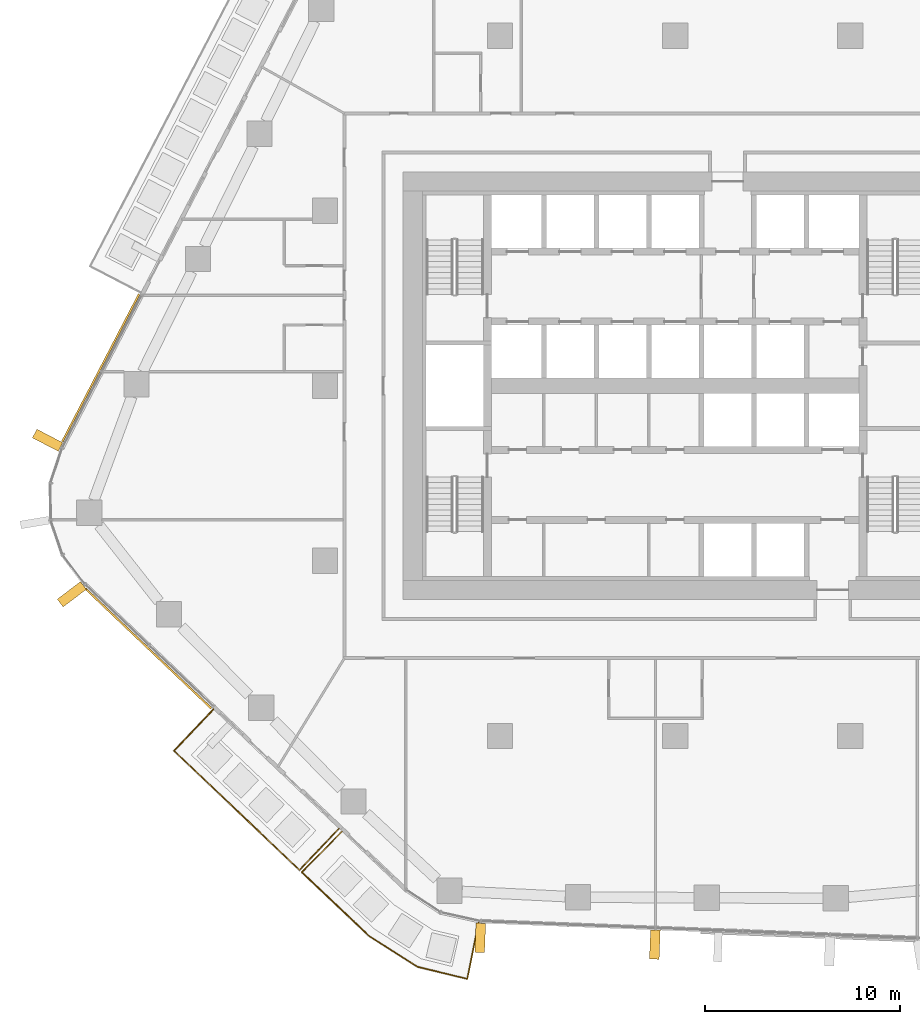
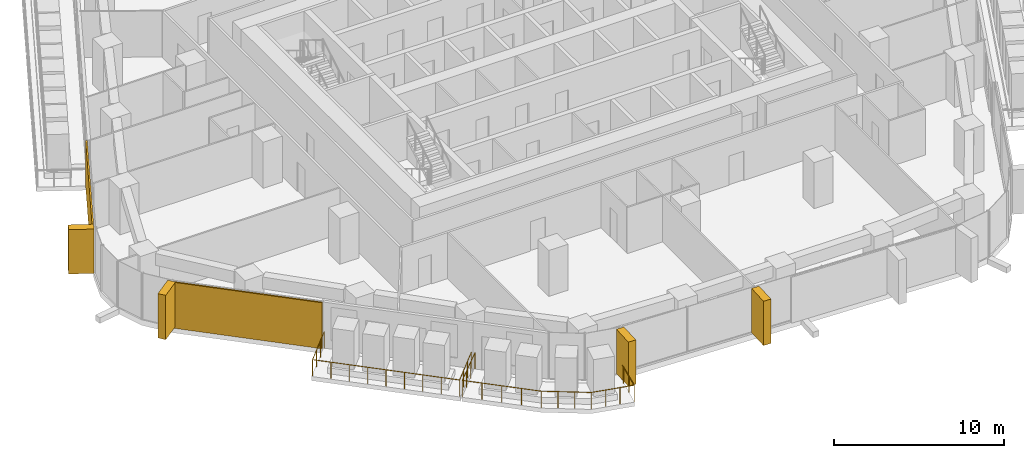
# One storey, part 18 of 23: 6 coverings, 2 railings, 4 elements without a shape of their own.
"""IFC4 building model written with IfcOpenShell, lengths in metres."""

from ifc_helpers import new_model, si_unit, direction, frame, origin, origin_2d, place, context, subcontext, project, spatial, rectangle, circle, extrude, material, layer, layer_set, material_profile, profile_set, type_object, element, aggregate, save


model = new_model("IFC4")

# Units and contexts
model_context = context("Model", 3, precision=1e-05, world=origin(), true_north=direction((0.0, 1.0)))
body_context = subcontext(model_context, "Body", "Model", "MODEL_VIEW")
ifc_project = project(units=[si_unit("LENGTHUNIT", "METRE"), si_unit("AREAUNIT", "SQUARE_METRE"), si_unit("VOLUMEUNIT", "CUBIC_METRE"), si_unit("PLANEANGLEUNIT", "RADIAN"), si_unit("MASSUNIT", "GRAM", prefix="KILO")], contexts=[model_context])

# Site, building, storey
site_placement = place(None, origin())
site = spatial("IfcSite", under=ifc_project, at=site_placement, CompositionType="ELEMENT")
building_placement = place(site_placement, origin())
building = spatial("IfcBuilding", under=site, at=building_placement, Name="Dongbaek Canopy Tower", CompositionType="ELEMENT")
storey_placement = place(building_placement, frame((0.0, 0.0, 135.89990234375)))
storey = spatial("IfcBuildingStorey", under=building, at=storey_placement, Name="L30", CompositionType="ELEMENT", Elevation=135.89990234375)

# Railings
ifc_material_1 = material(Name="Stainless steel", Category="steel")
railing_type = type_object("IfcRailingType", Name="Balcony balustrade 1200", PredefinedType="BALUSTRADE", material=ifc_material_1)
railing_1_placement = place(storey_placement, frame((-23.730712890625, -16.632568359375, 0.0)))
element("IfcRailing", 1, at=railing_1_placement, inside=storey, type_object=railing_type, Name="Balcony guard L30 3", PredefinedType="BALUSTRADE", context=body_context, shape_type="SweptSolid", body=[
    extrude(circle(Radius=0.02392578125, at=origin_2d()), frame((0.0, 0.0, 1.17578125), z_axis=(-0.689325404466, -0.724451852615, 0.0), x_axis=(0.724451852615, -0.689325404466, 0.0)), (0.0, 0.0, 1.0), 2.93994140625),
    extrude(circle(Radius=0.02392578125, at=origin_2d()), frame((-2.026611328125, -2.1298828125, 1.17578125), z_axis=(0.724466132489, -0.689310396611, 0.0), x_axis=(0.689310396611, 0.724466132489, 0.0)), (0.0, 0.0, 1.0), 8.89599609375),
    extrude(circle(Radius=0.02392578125, at=origin_2d()), frame((4.418212890625, -8.261962890625, 1.17578125), z_axis=(0.689283936438, 0.724491307725, 0.0), x_axis=(-0.724491307725, 0.689283936438, 0.0)), (0.0, 0.0, 1.0), 2.940185546875),
    extrude(circle(Radius=0.02099609375, at=origin_2d()), origin(), (0.0, 0.0, 1.0), 1.15185546875),
    extrude(circle(Radius=0.02099609375, at=origin_2d()), frame((-0.675537109375, -0.7099609375, 0.0)), (0.0, 0.0, 1.0), 1.15185546875),
    extrude(circle(Radius=0.02099609375, at=origin_2d()), frame((-1.35107421875, -1.419921875, 0.0)), (0.0, 0.0, 1.0), 1.15185546875),
    extrude(circle(Radius=0.02099609375, at=origin_2d()), frame((-2.026611328125, -2.1298828125, 0.0)), (0.0, 0.0, 1.0), 1.15185546875),
    extrude(circle(Radius=0.02099609375, at=origin_2d()), frame((-1.220947265625, -2.896484375, 0.0)), (0.0, 0.0, 1.0), 1.15185546875),
    extrude(circle(Radius=0.02099609375, at=origin_2d()), frame((-0.41552734375, -3.662841796875, 0.0)), (0.0, 0.0, 1.0), 1.15185546875),
    extrude(circle(Radius=0.02099609375, at=origin_2d()), frame((0.39013671875, -4.429443359375, 0.0)), (0.0, 0.0, 1.0), 1.15185546875),
    extrude(circle(Radius=0.02099609375, at=origin_2d()), frame((1.19580078125, -5.19580078125, 0.0)), (0.0, 0.0, 1.0), 1.15185546875),
    extrude(circle(Radius=0.02099609375, at=origin_2d()), frame((2.00146484375, -5.96240234375, 0.0)), (0.0, 0.0, 1.0), 1.15185546875),
    extrude(circle(Radius=0.02099609375, at=origin_2d()), frame((2.80712890625, -6.72900390625, 0.0)), (0.0, 0.0, 1.0), 1.15185546875),
    extrude(circle(Radius=0.02099609375, at=origin_2d()), frame((3.612548828125, -7.495361328125, 0.0)), (0.0, 0.0, 1.0), 1.15185546875),
    extrude(circle(Radius=0.02099609375, at=origin_2d()), frame((4.418212890625, -8.261962890625, 0.0)), (0.0, 0.0, 1.0), 1.15185546875),
    extrude(circle(Radius=0.02099609375, at=origin_2d()), frame((5.09375, -7.552001953125, 0.0)), (0.0, 0.0, 1.0), 1.15185546875),
    extrude(circle(Radius=0.02099609375, at=origin_2d()), frame((5.769287109375, -6.841796875, 0.0)), (0.0, 0.0, 1.0), 1.15185546875),
    extrude(circle(Radius=0.02099609375, at=origin_2d()), frame((6.44482421875, -6.1318359375, 0.0)), (0.0, 0.0, 1.0), 1.15185546875),
])
railing_2_placement = place(storey_placement, frame((-17.12646484375, -22.916259765625, 0.0)))
element("IfcRailing", 2, at=railing_2_placement, inside=storey, type_object=railing_type, Name="Balcony guard L30 7", PredefinedType="BALUSTRADE", context=body_context, shape_type="SweptSolid", body=[
    extrude(circle(Radius=0.02392578125, at=origin_2d()), frame((0.0, 0.0, 1.17578125), z_axis=(-0.703986411861, -0.710213441097, 0.0), x_axis=(0.710213441097, -0.703986411861, 0.0)), (0.0, 0.0, 1.0), 2.9404296875),
    extrude(circle(Radius=0.02392578125, at=origin_2d()), frame((-2.070068359375, -2.08837890625, 1.17578125), z_axis=(0.726177108042, -0.687507678325, 0.0), x_axis=(0.687507678325, 0.726177108042, 0.0)), (0.0, 0.0, 1.0), 4.77294921875),
    extrude(circle(Radius=0.02392578125, at=origin_2d()), frame((1.39599609375, -5.369873046875, 1.17578125), z_axis=(0.8430468965, -0.537840060149, 0.0), x_axis=(0.537840060149, 0.8430468965, 0.0)), (0.0, 0.0, 1.0), 2.947021484375),
    extrude(circle(Radius=0.02392578125, at=origin_2d()), frame((3.88037109375, -6.954833984375, 1.17578125), z_axis=(0.971990220517, -0.235021299503, 0.0), x_axis=(0.235021299503, 0.971990220517, 0.0)), (0.0, 0.0, 1.0), 2.63232421875),
    extrude(circle(Radius=0.02392578125, at=origin_2d()), frame((6.43896484375, -7.573486328125, 1.17578125), z_axis=(0.197345358097, 0.980334029623, 0.0), x_axis=(-0.980334029623, 0.197345358097, 0.0)), (0.0, 0.0, 1.0), 2.940673828125),
    extrude(circle(Radius=0.02099609375, at=origin_2d()), origin(), (0.0, 0.0, 1.0), 1.15185546875),
    extrude(circle(Radius=0.02099609375, at=origin_2d()), frame((-0.68994140625, -0.696044921875, 0.0)), (0.0, 0.0, 1.0), 1.15185546875),
    extrude(circle(Radius=0.02099609375, at=origin_2d()), frame((-1.380126953125, -1.392333984375, 0.0)), (0.0, 0.0, 1.0), 1.15185546875),
    extrude(circle(Radius=0.02099609375, at=origin_2d()), frame((-2.070068359375, -2.08837890625, 0.0)), (0.0, 0.0, 1.0), 1.15185546875),
    extrude(circle(Radius=0.02099609375, at=origin_2d()), frame((-1.20361328125, -2.90869140625, 0.0)), (0.0, 0.0, 1.0), 1.15185546875),
    extrude(circle(Radius=0.02099609375, at=origin_2d()), frame((-0.3369140625, -3.72900390625, 0.0)), (0.0, 0.0, 1.0), 1.15185546875),
    extrude(circle(Radius=0.02099609375, at=origin_2d()), frame((0.529541015625, -4.549560546875, 0.0)), (0.0, 0.0, 1.0), 1.15185546875),
    extrude(circle(Radius=0.02099609375, at=origin_2d()), frame((1.39599609375, -5.369873046875, 0.0)), (0.0, 0.0, 1.0), 1.15185546875),
    extrude(circle(Radius=0.02099609375, at=origin_2d()), frame((2.22412109375, -5.898193359375, 0.0)), (0.0, 0.0, 1.0), 1.15185546875),
    extrude(circle(Radius=0.02099609375, at=origin_2d()), frame((3.05224609375, -6.426513671875, 0.0)), (0.0, 0.0, 1.0), 1.15185546875),
    extrude(circle(Radius=0.02099609375, at=origin_2d()), frame((3.88037109375, -6.954833984375, 0.0)), (0.0, 0.0, 1.0), 1.15185546875),
    extrude(circle(Radius=0.02099609375, at=origin_2d()), frame((4.733154296875, -7.1611328125, 0.0)), (0.0, 0.0, 1.0), 1.15185546875),
    extrude(circle(Radius=0.02099609375, at=origin_2d()), frame((5.586181640625, -7.3671875, 0.0)), (0.0, 0.0, 1.0), 1.15185546875),
    extrude(circle(Radius=0.02099609375, at=origin_2d()), frame((6.43896484375, -7.573486328125, 0.0)), (0.0, 0.0, 1.0), 1.15185546875),
    extrude(circle(Radius=0.02099609375, at=origin_2d()), frame((6.63232421875, -6.612548828125, 0.0)), (0.0, 0.0, 1.0), 1.15185546875),
    extrude(circle(Radius=0.02099609375, at=origin_2d()), frame((6.825927734375, -5.651611328125, 0.0)), (0.0, 0.0, 1.0), 1.15185546875),
    extrude(circle(Radius=0.02099609375, at=origin_2d()), frame((7.019287109375, -4.690673828125, 0.0)), (0.0, 0.0, 1.0), 1.15185546875),
])

# Curtain wall, covering
ifc_material_2 = material(Name="Aluminium 6063-T6 pale anodised", Category="aluminium")
ifc_layer_1 = layer(ifc_material_2, 0.199951171875)
ifc_layer_set_1 = layer_set([ifc_layer_1], Name="CW-1 unitised tower curtain wall")
curtain_wall_type = type_object("IfcCurtainWallType", Name="CW-1 unitised tower curtain wall", PredefinedType="NOTDEFINED", material=ifc_layer_set_1)
curtain_wall_1_placement = place(storey_placement, origin())
curtain_wall_1 = element("IfcCurtainWall", 3, at=curtain_wall_1_placement, inside=storey, type_object=curtain_wall_type, Name="CW-1 curtain wall F2.1", PredefinedType="NOTDEFINED")
ifc_material_3 = material(Name="Perforated aluminium 6063-T6 pale metal screen", Category="aluminium")
ifc_layer_2 = layer(ifc_material_3, 0.10009765625)
ifc_layer_set_2 = layer_set([ifc_layer_2], Name="Facet screen FS1 100 pale metal")
covering_type_1 = type_object("IfcCoveringType", Name="Facet screen FS1 100 pale metal", PredefinedType="CLADDING", material=ifc_layer_set_2)
covering_1_placement = place(storey_placement, frame((-29.528564453125, 0.922607421875, 0.0), z_axis=(0.0, 0.0, 1.0), x_axis=(-0.461909610727, -0.886927004617, 0.0)))
covering_1 = element("IfcCovering", 4, at=covering_1_placement, type_object=covering_type_1, Name="Facet screen L30 F2", PredefinedType="CLADDING", context=body_context, shape_type="SweptSolid", body=[
    extrude(rectangle(XDim=8.550537109375, YDim=0.10009765625, at=origin_2d()), origin(), (0.0, 0.0, 1.0), 3.300048828125),
])

curtain_wall_2_placement = place(storey_placement, origin())
curtain_wall_2 = element("IfcCurtainWall", 5, at=curtain_wall_2_placement, inside=storey, type_object=curtain_wall_type, Name="CW-1 curtain wall F3.1", PredefinedType="NOTDEFINED")
covering_2_placement = place(storey_placement, frame((-27.085693359375, -13.50390625, 0.0), z_axis=(0.0, 0.0, 1.0), x_axis=(0.724473898843, -0.689302234071, 0.0)))
covering_2 = element("IfcCovering", 6, at=covering_2_placement, type_object=covering_type_1, Name="Facet screen L30 F3", PredefinedType="CLADDING", context=body_context, shape_type="SweptSolid", body=[
    extrude(rectangle(XDim=8.954345703125, YDim=0.10009765625, at=origin_2d()), origin(), (0.0, 0.0, 1.0), 3.300048828125),
])
aggregate(curtain_wall_2, [covering_2])

# Covering
ifc_material_4 = material(Name="Aluminium 6063-T6 pale metal fin", Category="aluminium")
ifc_material_profile = material_profile(ifc_material_4, rectangle(XDim=1.5, YDim=0.5, at=origin_2d()), Name="Fin FN1 500 x 1500 pale metal")
ifc_profile_set = profile_set([ifc_material_profile], Name="Aluminium 6063-T6 pale metal fin")
covering_type_2 = type_object("IfcCoveringType", Name="Fin FN1 500 x 1500 pale metal", PredefinedType="CLADDING", material=ifc_profile_set)
covering_3_placement = place(storey_placement, frame((-32.26171875, -2.80126953125, 0.1201171875), z_axis=(0.0, 0.0, 1.0), x_axis=(-0.886926731215, 0.461910135693, 0.0)))
covering_3 = element("IfcCovering", 7, at=covering_3_placement, type_object=covering_type_2, Name="Fin F2.1.3", PredefinedType="CLADDING", context=body_context, shape_type="SweptSolid", body=[
    extrude(rectangle(XDim=1.5, YDim=0.5, at=origin_2d()), origin(), (0.0, 0.0, 1.0), 3.179931640625),
])

aggregate(curtain_wall_1, [covering_3, covering_1])

# Curtain wall, covering
curtain_wall_3_placement = place(storey_placement, origin())
curtain_wall_3 = element("IfcCurtainWall", 8, at=curtain_wall_3_placement, inside=storey, type_object=curtain_wall_type, Name="CW-1 curtain wall K3.1", PredefinedType="NOTDEFINED")
covering_4_placement = place(storey_placement, frame((-31.01708984375, -10.719970703125, 0.1201171875), z_axis=(0.0, 0.0, 1.0), x_axis=(-0.796707337317, -0.604365302334, 0.0)))
covering_4 = element("IfcCovering", 9, at=covering_4_placement, type_object=covering_type_2, Name="Fin K3.1.5", PredefinedType="CLADDING", context=body_context, shape_type="SweptSolid", body=[
    extrude(rectangle(XDim=1.5, YDim=0.5, at=origin_2d()), origin(), (0.0, 0.0, 1.0), 3.179931640625),
])
aggregate(curtain_wall_3, [covering_4])

# Curtain wall, coverings
curtain_wall_4_placement = place(storey_placement, origin())
curtain_wall_4 = element("IfcCurtainWall", 10, at=curtain_wall_4_placement, inside=storey, type_object=curtain_wall_type, Name="CW-1 curtain wall F4.1", PredefinedType="NOTDEFINED")
covering_5_placement = place(storey_placement, frame((-10.019775390625, -28.380615234375, 0.1201171875), z_axis=(0.0, 0.0, 1.0), x_axis=(-0.038587229989, -0.999255235504, 0.0)))
covering_5 = element("IfcCovering", 11, at=covering_5_placement, type_object=covering_type_2, Name="Fin F4.1.1", PredefinedType="CLADDING", context=body_context, shape_type="SweptSolid", body=[
    extrude(rectangle(XDim=1.5, YDim=0.5, at=origin_2d()), origin(), (0.0, 0.0, 1.0), 3.179931640625),
])
covering_6_placement = place(storey_placement, frame((-1.043701171875, -28.727294921875, 0.1201171875), z_axis=(0.0, 0.0, 1.0), x_axis=(-0.038587229989, -0.999255235504, 0.0)))
covering_6 = element("IfcCovering", 12, at=covering_6_placement, type_object=covering_type_2, Name="Fin F4.1.3", PredefinedType="CLADDING", context=body_context, shape_type="SweptSolid", body=[
    extrude(rectangle(XDim=1.5, YDim=0.5, at=origin_2d()), origin(), (0.0, 0.0, 1.0), 3.179931640625),
])
aggregate(curtain_wall_4, [covering_5, covering_6])

save(model, "model.ifc")
